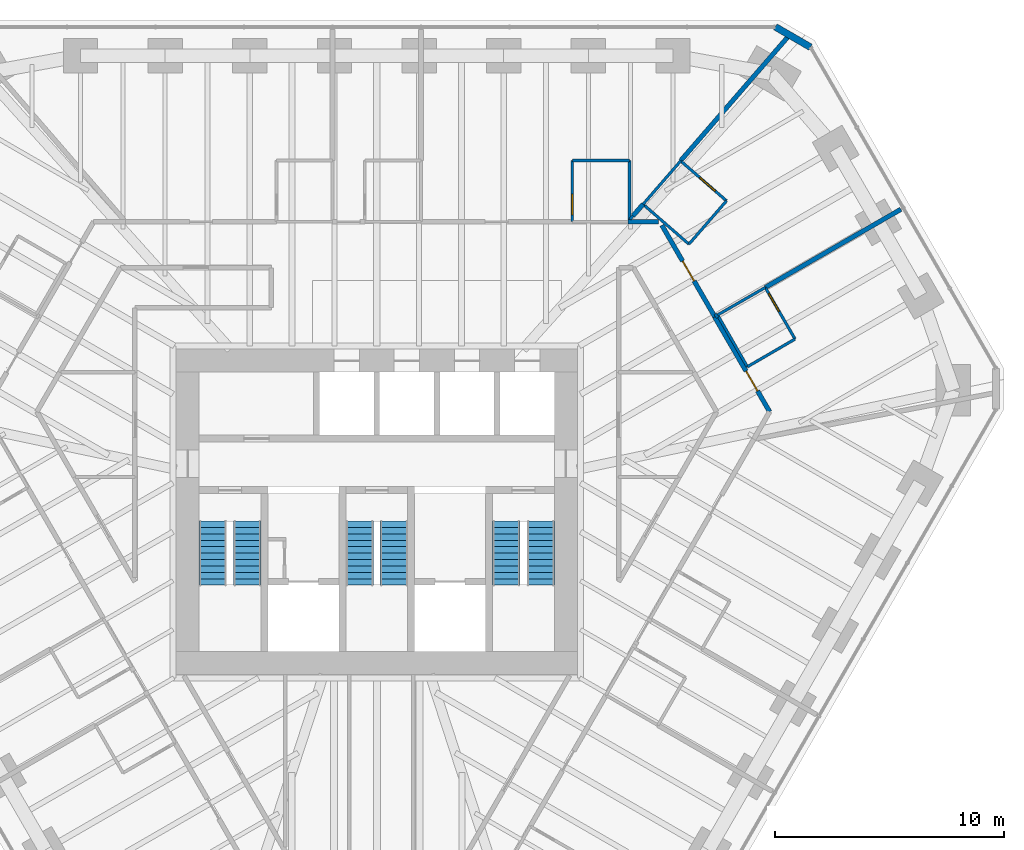
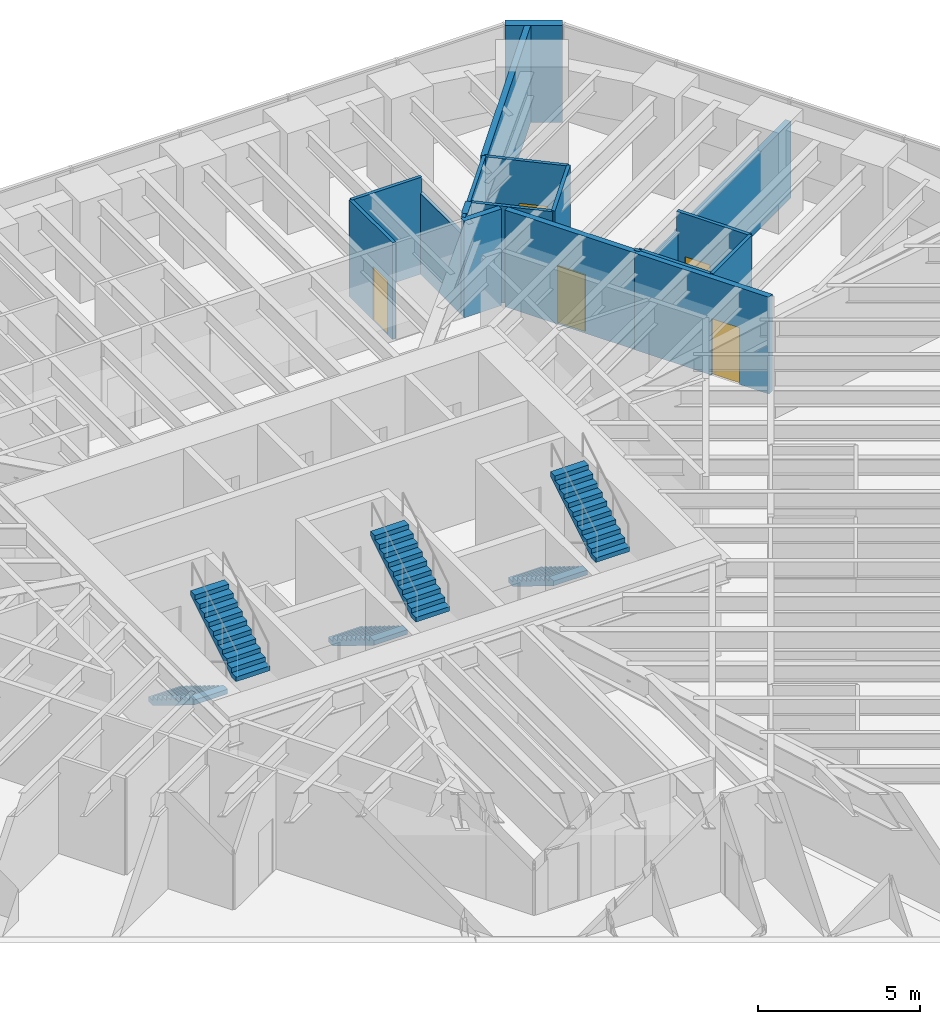
# One storey, part 15 of 16: 20 walls, 6 stair flights, 5 doors, 5 openings, 3 elements without a shape of their own.
"""IFC4 building model written with IfcOpenShell, lengths in metres."""

from ifc_helpers import new_model, si_unit, direction, frame, frame_2d, origin, place, context, subcontext, project, spatial, polyline, rectangle, outline, extrude, material, layer, layer_set, type_object, element, fill, aggregate, save


model = new_model("IFC4")

# Units and contexts
model_context = context("Model", 3, precision=1e-05, world=origin(), true_north=direction((0.0, 1.0)))
body_context = subcontext(model_context, "Body", "Model", "MODEL_VIEW")
ifc_project = project(units=[si_unit("LENGTHUNIT", "METRE"), si_unit("AREAUNIT", "SQUARE_METRE"), si_unit("VOLUMEUNIT", "CUBIC_METRE"), si_unit("PLANEANGLEUNIT", "RADIAN"), si_unit("MASSUNIT", "GRAM", prefix="KILO")], contexts=[model_context])

# Site, building, storey
site_placement = place(None, origin())
site = spatial("IfcSite", under=ifc_project, at=site_placement, CompositionType="ELEMENT")
building_placement = place(site_placement, origin())
building = spatial("IfcBuilding", under=site, at=building_placement, Name="Sandreach Pilgrim Tower", CompositionType="ELEMENT")
storey_placement = place(building_placement, frame((0.0, 0.0, 187.0)))
storey = spatial("IfcBuildingStorey", under=building, at=storey_placement, Name="L46", CompositionType="ELEMENT", Elevation=187.0)

# Wall, opening, door
ifc_material_1 = material(Name="Moisture-resistant gypsum board on steel studs", Category="steel")
ifc_layer_1 = layer(ifc_material_1, 0.1201171875)
ifc_layer_set_1 = layer_set([ifc_layer_1], Name="Bathroom partition 120")
wall_type_1 = type_object("IfcWallType", Name="Bathroom partition 120", PredefinedType="PARTITIONING", material=ifc_layer_set_1)
wall_1_placement = place(storey_placement, frame((8.530029296875, 15.330078125, 0.0), z_axis=(0.0, 0.0, 1.0), x_axis=(0.0, -1.0, 0.0)))
wall_1 = element("IfcWall", 1, at=wall_1_placement, inside=storey, type_object=wall_type_1, Name="Bathroom partition L46-102", PredefinedType="PARTITIONING", context=body_context, shape_type="SweptSolid", body=[
    extrude(rectangle(XDim=2.670166015625, YDim=0.1201171875, at=frame_2d((1.3349609375, 0.0))), origin(), (0.0, 0.0, 1.0), 3.639892578125),
])
opening_1_placement = place(wall_1_placement, frame((1.469970703125, 0.0, 0.0)))
opening_1 = element("IfcOpeningElement", 2, at=opening_1_placement, cuts=wall_1, Name="Opening D09-03B", PredefinedType="OPENING", context=body_context, shape_type="SweptSolid", body=[
    extrude(rectangle(XDim=0.89990234375, YDim=2.030029296875, at=frame_2d((0.449951171875, 1.01513671875))), frame((0.0, 0.06005859375, 0.0), z_axis=(0.0, -1.0, 0.0), x_axis=(1.0, 0.0, 0.0)), (0.0, 0.0, 1.0), 0.1201171875),
])
ifc_material_2 = material(Name="Timber door, steel frame", Category="steel")
door_type_1 = type_object("IfcDoorType", Name="Bathroom door", OperationType="SINGLE_SWING_LEFT", PredefinedType="DOOR", material=ifc_material_2)
door_1_placement = place(opening_1_placement, origin())
door_1 = element("IfcDoor", 3, at=door_1_placement, inside=storey, type_object=door_type_1, Name="Door 4603B", OperationType="SINGLE_SWING_RIGHT", OverallHeight=2.030029296875, OverallWidth=0.89990234375, PredefinedType="DOOR", context=body_context, shape_type="SweptSolid", body=[
    extrude(rectangle(XDim=0.89990234375, YDim=2.030029296875, at=frame_2d((0.449951171875, 1.01513671875))), frame((0.0, 0.02490234375, 0.0), z_axis=(0.0, -1.0, 0.0), x_axis=(1.0, 0.0, 0.0)), (0.0, 0.0, 1.0), 0.050048828125),
])
fill(opening_1, door_1)

# Walls
wall_2_placement = place(storey_placement, frame((11.030029296875, 12.739990234375, 0.0), z_axis=(0.0, 0.0, 1.0), x_axis=(0.0, 1.0, 0.0)))
element("IfcWall", 4, at=wall_2_placement, inside=storey, type_object=wall_type_1, Name="Bathroom partition L46-112", PredefinedType="PARTITIONING", context=body_context, shape_type="SweptSolid", body=[
    extrude(rectangle(XDim=2.590087890625, YDim=0.1201171875, at=frame_2d((1.294921875, 0.0))), origin(), (0.0, 0.0, 1.0), 3.0380859375),
])
wall_3_placement = place(storey_placement, frame((11.030029296875, 15.330078125, 0.0), z_axis=(0.0, 0.0, 1.0), x_axis=(-1.0, 0.0, 0.0)))
element("IfcWall", 5, at=wall_3_placement, inside=storey, type_object=wall_type_1, Name="Bathroom partition L46-113", PredefinedType="PARTITIONING", context=body_context, shape_type="SweptSolid", body=[
    extrude(rectangle(XDim=2.5, YDim=0.1201171875, at=frame_2d((1.25, 0.0))), origin(), (0.0, 0.0, 1.0), 3.639892578125),
])
wall_4_placement = place(storey_placement, frame((11.04931640625, 12.762939453125, 0.0), z_axis=(0.0, 0.0, 1.0), x_axis=(0.639596257895, 0.768711016499, 0.0)))
element("IfcWall", 6, at=wall_4_placement, inside=storey, type_object=wall_type_1, Name="Bathroom partition L46-114", PredefinedType="PARTITIONING", context=body_context, shape_type="SweptSolid", body=[
    extrude(rectangle(XDim=0.2041015625, YDim=0.1201171875, at=frame_2d((0.10205078125, 0.0))), origin(), (0.0, 0.0, 1.0), 3.639892578125),
])
wall_5_placement = place(storey_placement, frame((11.6201171875, 13.419921875, 0.0), z_axis=(0.0, 0.0, 1.0), x_axis=(0.655335308977, 0.755338091723, 0.0)))
element("IfcWall", 7, at=wall_5_placement, inside=storey, type_object=wall_type_1, Name="Bathroom partition L46-119", PredefinedType="PARTITIONING", context=body_context, shape_type="SweptSolid", body=[
    extrude(rectangle(XDim=2.50244140625, YDim=0.1201171875, at=frame_2d((1.251220703125, 0.0))), origin(), (0.0, 0.0, 1.0), 3.639892578125),
])
wall_6_placement = place(storey_placement, frame((11.6201171875, 13.419921875, 0.0), z_axis=(0.0, 0.0, 1.0), x_axis=(0.754444902764, -0.656363381591, 0.0)))
element("IfcWall", 8, at=wall_6_placement, inside=storey, type_object=wall_type_1, Name="Bathroom partition L46-120", PredefinedType="PARTITIONING", context=body_context, shape_type="SweptSolid", body=[
    extrude(rectangle(XDim=2.65087890625, YDim=0.1201171875, at=frame_2d((1.325439453125, 0.0))), origin(), (0.0, 0.0, 1.0), 3.639892578125),
])
wall_7_placement = place(storey_placement, frame((13.6201171875, 11.679931640625, 0.0), z_axis=(0.0, 0.0, 1.0), x_axis=(0.655335308977, 0.755338091723, 0.0)))
element("IfcWall", 9, at=wall_7_placement, inside=storey, type_object=wall_type_1, Name="Bathroom partition L46-130", PredefinedType="PARTITIONING", context=body_context, shape_type="SweptSolid", body=[
    extrude(rectangle(XDim=2.50244140625, YDim=0.1201171875, at=frame_2d((1.251220703125, 0.0))), origin(), (0.0, 0.0, 1.0), 3.639892578125),
])
wall_8_placement = place(storey_placement, frame((14.8701171875, 8.590087890625, 0.0), z_axis=(0.0, 0.0, 1.0), x_axis=(0.498557331759, -0.866856728041, 0.0)))
element("IfcWall", 10, at=wall_8_placement, inside=storey, type_object=wall_type_1, Name="Bathroom partition L46-137", PredefinedType="PARTITIONING", context=body_context, shape_type="SweptSolid", body=[
    extrude(rectangle(XDim=2.607177734375, YDim=0.1201171875, at=frame_2d((1.3037109375, 0.0))), origin(), (0.0, 0.0, 1.0), 3.639892578125),
])
wall_9_placement = place(storey_placement, frame((14.8701171875, 8.590087890625, 0.0), z_axis=(0.0, 0.0, 1.0), x_axis=(0.866177122335, 0.499737123639, 0.0)))
element("IfcWall", 11, at=wall_9_placement, inside=storey, type_object=wall_type_1, Name="Bathroom partition L46-138", PredefinedType="PARTITIONING", context=body_context, shape_type="SweptSolid", body=[
    extrude(rectangle(XDim=2.401123046875, YDim=0.1201171875, at=frame_2d((1.20068359375, 0.0))), origin(), (0.0, 0.0, 1.0), 2.8779296875),
])

# Wall, opening, door
wall_10_placement = place(storey_placement, frame((15.260009765625, 13.570068359375, 0.0), z_axis=(0.0, 0.0, 1.0), x_axis=(-0.754444902764, 0.656363381591, 0.0)))
wall_10 = element("IfcWall", 12, at=wall_10_placement, inside=storey, type_object=wall_type_1, Name="Bathroom partition L46-139", PredefinedType="PARTITIONING", context=body_context, shape_type="SweptSolid", body=[
    extrude(rectangle(XDim=2.65087890625, YDim=0.1201171875, at=frame_2d((1.325439453125, 0.0))), origin(), (0.0, 0.0, 1.0), 3.639892578125),
])
opening_2_placement = place(wall_10_placement, frame((0.64990234375, 0.0, 0.0)))
opening_2 = element("IfcOpeningElement", 13, at=opening_2_placement, cuts=wall_10, Name="Opening D09-04B", PredefinedType="OPENING", context=body_context, shape_type="SweptSolid", body=[
    extrude(rectangle(XDim=0.89990234375, YDim=2.030029296875, at=frame_2d((0.449951171875, 1.01513671875))), frame((0.0, 0.06005859375, 0.0), z_axis=(0.0, -1.0, 0.0), x_axis=(1.0, 0.0, 0.0)), (0.0, 0.0, 1.0), 0.1201171875),
])
door_2_placement = place(opening_2_placement, origin())
door_2 = element("IfcDoor", 14, at=door_2_placement, inside=storey, type_object=door_type_1, Name="Door 4604B", OperationType="SINGLE_SWING_LEFT", OverallHeight=2.030029296875, OverallWidth=0.89990234375, PredefinedType="DOOR", context=body_context, shape_type="SweptSolid", body=[
    extrude(rectangle(XDim=0.89990234375, YDim=2.030029296875, at=frame_2d((0.449951171875, 1.01513671875))), frame((0.0, 0.02490234375, 0.0), z_axis=(0.0, -1.0, 0.0), x_axis=(1.0, 0.0, 0.0)), (0.0, 0.0, 1.0), 0.050048828125),
])
fill(opening_2, door_2)

# Wall
wall_11_placement = place(storey_placement, frame((16.169921875, 6.330078125, 0.0), z_axis=(0.0, 0.0, 1.0), x_axis=(0.864396442809, 0.502810888564, 0.0)))
element("IfcWall", 15, at=wall_11_placement, inside=storey, type_object=wall_type_1, Name="Bathroom partition L46-141", PredefinedType="PARTITIONING", context=body_context, shape_type="SweptSolid", body=[
    extrude(rectangle(XDim=2.406494140625, YDim=0.1201171875, at=frame_2d((1.203125, 0.0))), origin(), (0.0, 0.0, 1.0), 3.639892578125),
])

# Wall, opening, door
wall_12_placement = place(storey_placement, frame((18.25, 7.5400390625, 0.0), z_axis=(0.0, 0.0, 1.0), x_axis=(-0.500291685314, 0.865856933682, 0.0)))
wall_12 = element("IfcWall", 16, at=wall_12_placement, inside=storey, type_object=wall_type_1, Name="Bathroom partition L46-146", PredefinedType="PARTITIONING", context=body_context, shape_type="SweptSolid", body=[
    extrude(rectangle(XDim=2.5986328125, YDim=0.1201171875, at=frame_2d((1.29931640625, 0.0))), origin(), (0.0, 0.0, 1.0), 3.639892578125),
])
opening_3_placement = place(wall_12_placement, frame((1.398681640625, 0.0, 0.0)))
opening_3 = element("IfcOpeningElement", 17, at=opening_3_placement, cuts=wall_12, Name="Opening D09-05B", PredefinedType="OPENING", context=body_context, shape_type="SweptSolid", body=[
    extrude(rectangle(XDim=0.89990234375, YDim=2.030029296875, at=frame_2d((0.449951171875, 1.01513671875))), frame((0.0, 0.06005859375, 0.0), z_axis=(0.0, -1.0, 0.0), x_axis=(1.0, 0.0, 0.0)), (0.0, 0.0, 1.0), 0.1201171875),
])
door_3_placement = place(opening_3_placement, origin())
door_3 = element("IfcDoor", 18, at=door_3_placement, inside=storey, type_object=door_type_1, Name="Door 4605B", OperationType="SINGLE_SWING_RIGHT", OverallHeight=2.030029296875, OverallWidth=0.89990234375, PredefinedType="DOOR", context=body_context, shape_type="SweptSolid", body=[
    extrude(rectangle(XDim=0.89990234375, YDim=2.030029296875, at=frame_2d((0.449951171875, 1.01513671875))), frame((0.0, 0.02490234375, 0.0), z_axis=(0.0, -1.0, 0.0), x_axis=(1.0, 0.0, 0.0)), (0.0, 0.0, 1.0), 0.050048828125),
])
fill(opening_3, door_3)

# Wall
ifc_material_3 = material(Name="Gypsum board on steel studs, two layers each side", Category="steel")
ifc_layer_2 = layer(ifc_material_3, 0.199951171875)
ifc_layer_set_2 = layer_set([ifc_layer_2], Name="Corridor wall 200")
wall_type_2 = type_object("IfcWallType", Name="Corridor wall 200", PredefinedType="PARTITIONING", material=ifc_layer_set_2)
wall_13_placement = place(storey_placement, frame((12.2900390625, 12.659912109375, 0.0), z_axis=(0.0, 0.0, 1.0), x_axis=(-1.0, 0.0, 0.0)))
element("IfcWall", 19, at=wall_13_placement, inside=storey, type_object=wall_type_2, Name="Corridor wall L46-125", PredefinedType="PARTITIONING", context=body_context, shape_type="SweptSolid", body=[
    extrude(rectangle(XDim=1.330078125, YDim=0.199951171875, at=frame_2d((0.6650390625, 0.0))), origin(), (0.0, 0.0, 1.0), 3.639892578125),
])

# Wall, opening, door
wall_14_placement = place(storey_placement, frame((12.440185546875, 12.504150390625, 0.0), z_axis=(0.0, 0.0, 1.0), x_axis=(0.500616963614, -0.865668906535, 0.0)))
wall_14 = element("IfcWall", 20, at=wall_14_placement, inside=storey, type_object=wall_type_2, Name="Corridor wall L46-126", PredefinedType="PARTITIONING", context=body_context, shape_type="SweptSolid", body=[
    extrude(rectangle(XDim=4.614013671875, YDim=0.199951171875, at=frame_2d((2.30712890625, 0.0))), origin(), (0.0, 0.0, 1.0), 3.639892578125),
])
opening_4_placement = place(wall_14_placement, frame((1.806884765625, 0.0, 0.0)))
opening_4 = element("IfcOpeningElement", 21, at=opening_4_placement, cuts=wall_14, Name="Opening D10-04", PredefinedType="OPENING", context=body_context, shape_type="SweptSolid", body=[
    extrude(rectangle(XDim=1.0, YDim=2.1298828125, at=frame_2d((0.5, 1.06494140625))), frame((0.0, 0.10009765625, 0.0), z_axis=(0.0, -1.0, 0.0), x_axis=(1.0, 0.0, 0.0)), (0.0, 0.0, 1.0), 0.199951171875),
])
ifc_material_4 = material(Name="Steel door and frame", Category="steel")
door_type_2 = type_object("IfcDoorType", Name="Guest room entry door", OperationType="SINGLE_SWING_LEFT", PredefinedType="DOOR", material=ifc_material_4)
door_4_placement = place(opening_4_placement, origin())
door_4 = element("IfcDoor", 22, at=door_4_placement, inside=storey, type_object=door_type_2, Name="Door 4604", OperationType="SINGLE_SWING_LEFT", OverallHeight=2.1298828125, OverallWidth=1.0, PredefinedType="DOOR", context=body_context, shape_type="SweptSolid", body=[
    extrude(rectangle(XDim=1.0, YDim=2.1298828125, at=frame_2d((0.5, 1.06494140625))), frame((0.0, 0.02490234375, 0.0), z_axis=(0.0, -1.0, 0.0), x_axis=(1.0, 0.0, 0.0)), (0.0, 0.0, 1.0), 0.050048828125),
])
fill(opening_4, door_4)

wall_15_placement = place(storey_placement, frame((17.139892578125, 4.3701171875, 0.0), z_axis=(0.0, 0.0, 1.0), x_axis=(-0.501524901322, 0.865143209737, 0.0)))
wall_15 = element("IfcWall", 23, at=wall_15_placement, inside=storey, type_object=wall_type_2, Name="Corridor wall L46-144", PredefinedType="PARTITIONING", context=body_context, shape_type="SweptSolid", body=[
    extrude(rectangle(XDim=4.78515625, YDim=0.199951171875, at=frame_2d((2.392578125, 0.0))), origin(), (0.0, 0.0, 1.0), 3.639892578125),
])
opening_5_placement = place(wall_15_placement, frame((1.050048828125, 0.0, 0.0)))
opening_5 = element("IfcOpeningElement", 24, at=opening_5_placement, cuts=wall_15, Name="Opening D10-05", PredefinedType="OPENING", context=body_context, shape_type="SweptSolid", body=[
    extrude(rectangle(XDim=1.0, YDim=2.1298828125, at=frame_2d((0.5, 1.06494140625))), frame((0.0, 0.10009765625, 0.0), z_axis=(0.0, -1.0, 0.0), x_axis=(1.0, 0.0, 0.0)), (0.0, 0.0, 1.0), 0.199951171875),
])
door_5_placement = place(opening_5_placement, origin())
door_5 = element("IfcDoor", 25, at=door_5_placement, inside=storey, type_object=door_type_2, Name="Door 4605", OperationType="SINGLE_SWING_LEFT", OverallHeight=2.1298828125, OverallWidth=1.0, PredefinedType="DOOR", context=body_context, shape_type="SweptSolid", body=[
    extrude(rectangle(XDim=1.0, YDim=2.1298828125, at=frame_2d((0.5, 1.06494140625))), frame((0.0, 0.02490234375, 0.0), z_axis=(0.0, -1.0, 0.0), x_axis=(1.0, 0.0, 0.0)), (0.0, 0.0, 1.0), 0.050048828125),
])
fill(opening_5, door_5)

# Walls
ifc_material_5 = material(Name="Double steel stud acoustic wall, gypsum board", Category="steel")
ifc_layer_3 = layer(ifc_material_5, 0.199951171875)
ifc_layer_set_3 = layer_set([ifc_layer_3], Name="Party wall 200")
wall_type_3 = type_object("IfcWallType", Name="Party wall 200", PredefinedType="PARTITIONING", material=ifc_layer_set_3)
wall_16_placement = place(storey_placement, frame((11.179931640625, 12.919921875, 0.0), z_axis=(0.0, 0.0, 1.0), x_axis=(0.660578310858, 0.750757147967, 0.0)))
element("IfcWall", 26, at=wall_16_placement, inside=storey, type_object=wall_type_3, Name="Party wall L46-115", PredefinedType="PARTITIONING", context=body_context, shape_type="SweptSolid", body=[
    extrude(rectangle(XDim=0.666015625, YDim=0.199951171875, at=frame_2d((0.3330078125, 0.0))), origin(), (0.0, 0.0, 1.0), 3.639892578125),
])
wall_17_placement = place(storey_placement, frame((14.7666015625, 8.52099609375, 0.0), z_axis=(0.0, 0.0, 1.0), x_axis=(0.831142316784, 0.55605975331, 0.0)))
element("IfcWall", 27, at=wall_17_placement, inside=storey, type_object=wall_type_3, Name="Party wall L46-135", PredefinedType="PARTITIONING", context=body_context, shape_type="SweptSolid", body=[
    extrude(rectangle(XDim=0.124267578125, YDim=0.199951171875, at=frame_2d((0.06201171875, 0.0))), origin(), (0.0, 0.0, 1.0), 3.639892578125),
])
wall_18_placement = place(storey_placement, frame((16.949951171875, 9.7900390625, 0.0), z_axis=(0.0, 0.0, 1.0), x_axis=(0.866371236465, 0.499400521251, 0.0)))
element("IfcWall", 28, at=wall_18_placement, inside=storey, type_object=wall_type_3, Name="Party wall L46-143", PredefinedType="PARTITIONING", context=body_context, shape_type="SweptSolid", body=[
    extrude(rectangle(XDim=6.82861328125, YDim=0.199951171875, at=frame_2d((3.414306640625, 0.0))), origin(), (0.0, 0.0, 1.0), 2.8779296875),
])
wall_19_placement = place(storey_placement, frame((18.020263671875, 20.8173828125, 0.0), z_axis=(0.0, 0.0, 1.0), x_axis=(-0.654701954033, -0.755887128733, 0.0)))
element("IfcWall", 29, at=wall_19_placement, inside=storey, type_object=wall_type_3, Name="Party wall L46-145", PredefinedType="PARTITIONING", context=body_context, shape_type="SweptSolid", body=[
    extrude(rectangle(XDim=7.279541015625, YDim=0.199951171875, at=frame_2d((3.6396484375, 0.0))), origin(), (0.0, 0.0, 1.0), 3.639892578125),
])
ifc_material_6 = material(Name="Terracotta rainscreen on concrete", Category="masonry")
ifc_layer_4 = layer(ifc_material_6, 0.300048828125)
ifc_layer_set_4 = layer_set([ifc_layer_4], Name="Terracotta chamfer pier")
wall_type_4 = type_object("IfcWallType", Name="Terracotta chamfer pier", PredefinedType="SOLIDWALL", material=ifc_layer_set_4)
wall_20_placement = place(storey_placement, frame((17.389892578125, 21.16015625, 0.0), z_axis=(0.0, 0.0, 1.0), x_axis=(0.866036293601, -0.499981137809, 0.0)))
element("IfcWall", 30, at=wall_20_placement, inside=storey, type_object=wall_type_4, Name="Chamfer pier L46 N", PredefinedType="SOLIDWALL", context=body_context, shape_type="SweptSolid", body=[
    extrude(rectangle(XDim=1.77001953125, YDim=0.300048828125, at=frame_2d((0.885009765625, 0.0))), origin(), (0.0, 0.0, 1.0), 3.639892578125),
])

# Stair, stair flights
ifc_material_7 = material(Name="Concrete 8000 psi", Category="concrete")
stair_type = type_object("IfcStairType", Name="Core exit stair", PredefinedType="HALF_TURN_STAIR", material=ifc_material_7)
stair_1_placement = place(storey_placement, origin())
stair_1 = element("IfcStair", 31, at=stair_1_placement, inside=storey, type_object=stair_type, Name="Exit stair ST1 L46", PredefinedType="HALF_TURN_STAIR")
ifc_material_8 = material(Name="Concrete 8000 psi", Category="concrete")
stair_flight_type = type_object("IfcStairFlightType", Name="Core stair flight 1200", PredefinedType="STRAIGHT", material=ifc_material_8)
stair_flight_1_placement = place(storey_placement, frame((-7.14990234375, -0.39990234375, 0.0), z_axis=(0.0, 0.0, 1.0), x_axis=(0.0, -1.0, 0.0)))
stair_flight_1 = element("IfcStairFlight", 32, at=stair_flight_1_placement, type_object=stair_flight_type, Name="ST1 flight 1", NumberOfRisers=11, NumberOfTreads=10, PredefinedType="STRAIGHT", RiserHeight=0.172727273, TreadLength=0.28, context=body_context, shape_type="SweptSolid", body=[
    extrude(outline(polyline([(0.0, 0.0), (0.0, 0.172607421875), (0.280029296875, 0.172607421875), (0.280029296875, 0.345458984375), (0.56005859375, 0.345458984375), (0.56005859375, 0.51806640625), (0.840087890625, 0.51806640625), (0.840087890625, 0.69091796875), (1.1201171875, 0.69091796875), (1.1201171875, 0.863525390625), (1.39990234375, 0.863525390625), (1.39990234375, 1.036376953125), (1.679931640625, 1.036376953125), (1.679931640625, 1.208984375), (1.9599609375, 1.208984375), (1.9599609375, 1.3818359375), (2.239990234375, 1.3818359375), (2.239990234375, 1.554443359375), (2.52001953125, 1.554443359375), (2.52001953125, 1.727294921875), (2.800048828125, 1.727294921875), (2.800048828125, 1.89990234375), (2.800048828125, 1.551025390625), (0.285400390625, 0.0), (0.0, 0.0)])), frame((0.0, 0.60009765625, 0.0), z_axis=(0.0, -1.0, 0.0), x_axis=(1.0, 0.0, 0.0)), (0.0, 0.0, 1.0), 1.199951171875),
])
stair_flight_2_placement = place(storey_placement, frame((-5.64990234375, -3.199951171875, 1.89990234375), z_axis=(0.0, 0.0, 1.0), x_axis=(0.0, 1.0, 0.0)))
stair_flight_2 = element("IfcStairFlight", 33, at=stair_flight_2_placement, type_object=stair_flight_type, Name="ST1 flight 2", NumberOfRisers=11, NumberOfTreads=10, PredefinedType="STRAIGHT", RiserHeight=0.172727273, TreadLength=0.28, context=body_context, shape_type="SweptSolid", body=[
    extrude(outline(polyline([(0.0, 0.0), (0.0, 0.172607421875), (0.280029296875, 0.172607421875), (0.280029296875, 0.345458984375), (0.56005859375, 0.345458984375), (0.56005859375, 0.51806640625), (0.840087890625, 0.51806640625), (0.840087890625, 0.69091796875), (1.1201171875, 0.69091796875), (1.1201171875, 0.863525390625), (1.39990234375, 0.863525390625), (1.39990234375, 1.036376953125), (1.679931640625, 1.036376953125), (1.679931640625, 1.208984375), (1.9599609375, 1.208984375), (1.9599609375, 1.3818359375), (2.239990234375, 1.3818359375), (2.239990234375, 1.554443359375), (2.52001953125, 1.554443359375), (2.52001953125, 1.727294921875), (2.800048828125, 1.727294921875), (2.800048828125, 1.89990234375), (2.800048828125, 1.551025390625), (0.285400390625, 0.0), (0.0, 0.0)])), frame((0.0, 0.60009765625, 0.0), z_axis=(0.0, -1.0, 0.0), x_axis=(1.0, 0.0, 0.0)), (0.0, 0.0, 1.0), 1.199951171875),
])
aggregate(stair_1, [stair_flight_1, stair_flight_2])

stair_2_placement = place(storey_placement, origin())
stair_2 = element("IfcStair", 34, at=stair_2_placement, inside=storey, type_object=stair_type, Name="Exit stair ST3 L46", PredefinedType="HALF_TURN_STAIR")
stair_flight_3_placement = place(storey_placement, frame((-0.75, -0.39990234375, 0.0), z_axis=(0.0, 0.0, 1.0), x_axis=(0.0, -1.0, 0.0)))
stair_flight_3 = element("IfcStairFlight", 35, at=stair_flight_3_placement, type_object=stair_flight_type, Name="ST3 flight 1", NumberOfRisers=11, NumberOfTreads=10, PredefinedType="STRAIGHT", RiserHeight=0.172727273, TreadLength=0.28, context=body_context, shape_type="SweptSolid", body=[
    extrude(outline(polyline([(0.0, 0.0), (0.0, 0.172607421875), (0.280029296875, 0.172607421875), (0.280029296875, 0.345458984375), (0.56005859375, 0.345458984375), (0.56005859375, 0.51806640625), (0.840087890625, 0.51806640625), (0.840087890625, 0.69091796875), (1.1201171875, 0.69091796875), (1.1201171875, 0.863525390625), (1.39990234375, 0.863525390625), (1.39990234375, 1.036376953125), (1.679931640625, 1.036376953125), (1.679931640625, 1.208984375), (1.9599609375, 1.208984375), (1.9599609375, 1.3818359375), (2.239990234375, 1.3818359375), (2.239990234375, 1.554443359375), (2.52001953125, 1.554443359375), (2.52001953125, 1.727294921875), (2.800048828125, 1.727294921875), (2.800048828125, 1.89990234375), (2.800048828125, 1.551025390625), (0.285400390625, 0.0), (0.0, 0.0)])), frame((0.0, 0.60009765625, 0.0), z_axis=(0.0, -1.0, 0.0), x_axis=(1.0, 0.0, 0.0)), (0.0, 0.0, 1.0), 1.199951171875),
])
stair_flight_4_placement = place(storey_placement, frame((0.75, -3.199951171875, 1.89990234375), z_axis=(0.0, 0.0, 1.0), x_axis=(0.0, 1.0, 0.0)))
stair_flight_4 = element("IfcStairFlight", 36, at=stair_flight_4_placement, type_object=stair_flight_type, Name="ST3 flight 2", NumberOfRisers=11, NumberOfTreads=10, PredefinedType="STRAIGHT", RiserHeight=0.172727273, TreadLength=0.28, context=body_context, shape_type="SweptSolid", body=[
    extrude(outline(polyline([(0.0, 0.0), (0.0, 0.172607421875), (0.280029296875, 0.172607421875), (0.280029296875, 0.345458984375), (0.56005859375, 0.345458984375), (0.56005859375, 0.51806640625), (0.840087890625, 0.51806640625), (0.840087890625, 0.69091796875), (1.1201171875, 0.69091796875), (1.1201171875, 0.863525390625), (1.39990234375, 0.863525390625), (1.39990234375, 1.036376953125), (1.679931640625, 1.036376953125), (1.679931640625, 1.208984375), (1.9599609375, 1.208984375), (1.9599609375, 1.3818359375), (2.239990234375, 1.3818359375), (2.239990234375, 1.554443359375), (2.52001953125, 1.554443359375), (2.52001953125, 1.727294921875), (2.800048828125, 1.727294921875), (2.800048828125, 1.89990234375), (2.800048828125, 1.551025390625), (0.285400390625, 0.0), (0.0, 0.0)])), frame((0.0, 0.60009765625, 0.0), z_axis=(0.0, -1.0, 0.0), x_axis=(1.0, 0.0, 0.0)), (0.0, 0.0, 1.0), 1.199951171875),
])
aggregate(stair_2, [stair_flight_3, stair_flight_4])

stair_3_placement = place(storey_placement, origin())
stair_3 = element("IfcStair", 37, at=stair_3_placement, inside=storey, type_object=stair_type, Name="Exit stair ST2 L46", PredefinedType="HALF_TURN_STAIR")
stair_flight_5_placement = place(storey_placement, frame((5.64990234375, -0.39990234375, 0.0), z_axis=(0.0, 0.0, 1.0), x_axis=(0.0, -1.0, 0.0)))
stair_flight_5 = element("IfcStairFlight", 38, at=stair_flight_5_placement, type_object=stair_flight_type, Name="ST2 flight 1", NumberOfRisers=11, NumberOfTreads=10, PredefinedType="STRAIGHT", RiserHeight=0.172727273, TreadLength=0.28, context=body_context, shape_type="SweptSolid", body=[
    extrude(outline(polyline([(0.0, 0.0), (0.0, 0.172607421875), (0.280029296875, 0.172607421875), (0.280029296875, 0.345458984375), (0.56005859375, 0.345458984375), (0.56005859375, 0.51806640625), (0.840087890625, 0.51806640625), (0.840087890625, 0.69091796875), (1.1201171875, 0.69091796875), (1.1201171875, 0.863525390625), (1.39990234375, 0.863525390625), (1.39990234375, 1.036376953125), (1.679931640625, 1.036376953125), (1.679931640625, 1.208984375), (1.9599609375, 1.208984375), (1.9599609375, 1.3818359375), (2.239990234375, 1.3818359375), (2.239990234375, 1.554443359375), (2.52001953125, 1.554443359375), (2.52001953125, 1.727294921875), (2.800048828125, 1.727294921875), (2.800048828125, 1.89990234375), (2.800048828125, 1.551025390625), (0.285400390625, 0.0), (0.0, 0.0)])), frame((0.0, 0.60009765625, 0.0), z_axis=(0.0, -1.0, 0.0), x_axis=(1.0, 0.0, 0.0)), (0.0, 0.0, 1.0), 1.199951171875),
])
stair_flight_6_placement = place(storey_placement, frame((7.14990234375, -3.199951171875, 1.89990234375), z_axis=(0.0, 0.0, 1.0), x_axis=(0.0, 1.0, 0.0)))
stair_flight_6 = element("IfcStairFlight", 39, at=stair_flight_6_placement, type_object=stair_flight_type, Name="ST2 flight 2", NumberOfRisers=11, NumberOfTreads=10, PredefinedType="STRAIGHT", RiserHeight=0.172727273, TreadLength=0.28, context=body_context, shape_type="SweptSolid", body=[
    extrude(outline(polyline([(0.0, 0.0), (0.0, 0.172607421875), (0.280029296875, 0.172607421875), (0.280029296875, 0.345458984375), (0.56005859375, 0.345458984375), (0.56005859375, 0.51806640625), (0.840087890625, 0.51806640625), (0.840087890625, 0.69091796875), (1.1201171875, 0.69091796875), (1.1201171875, 0.863525390625), (1.39990234375, 0.863525390625), (1.39990234375, 1.036376953125), (1.679931640625, 1.036376953125), (1.679931640625, 1.208984375), (1.9599609375, 1.208984375), (1.9599609375, 1.3818359375), (2.239990234375, 1.3818359375), (2.239990234375, 1.554443359375), (2.52001953125, 1.554443359375), (2.52001953125, 1.727294921875), (2.800048828125, 1.727294921875), (2.800048828125, 1.89990234375), (2.800048828125, 1.551025390625), (0.285400390625, 0.0), (0.0, 0.0)])), frame((0.0, 0.60009765625, 0.0), z_axis=(0.0, -1.0, 0.0), x_axis=(1.0, 0.0, 0.0)), (0.0, 0.0, 1.0), 1.199951171875),
])
aggregate(stair_3, [stair_flight_5, stair_flight_6])

save(model, "model.ifc")
